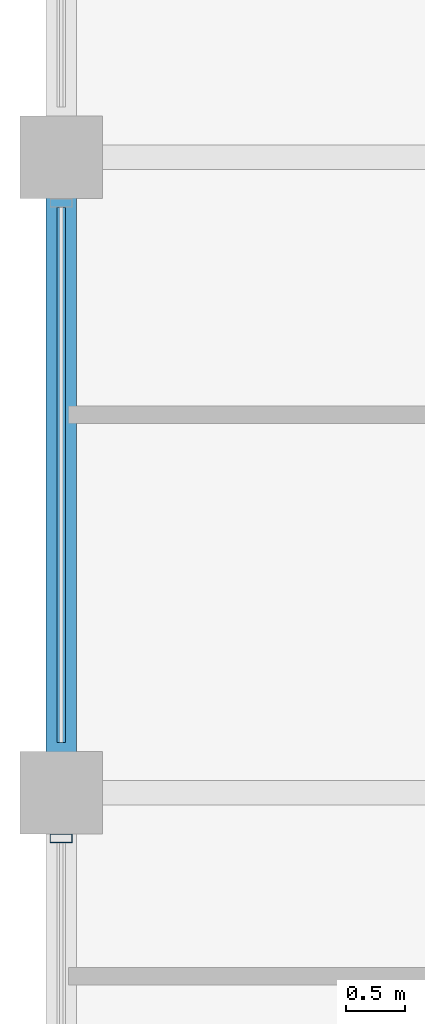
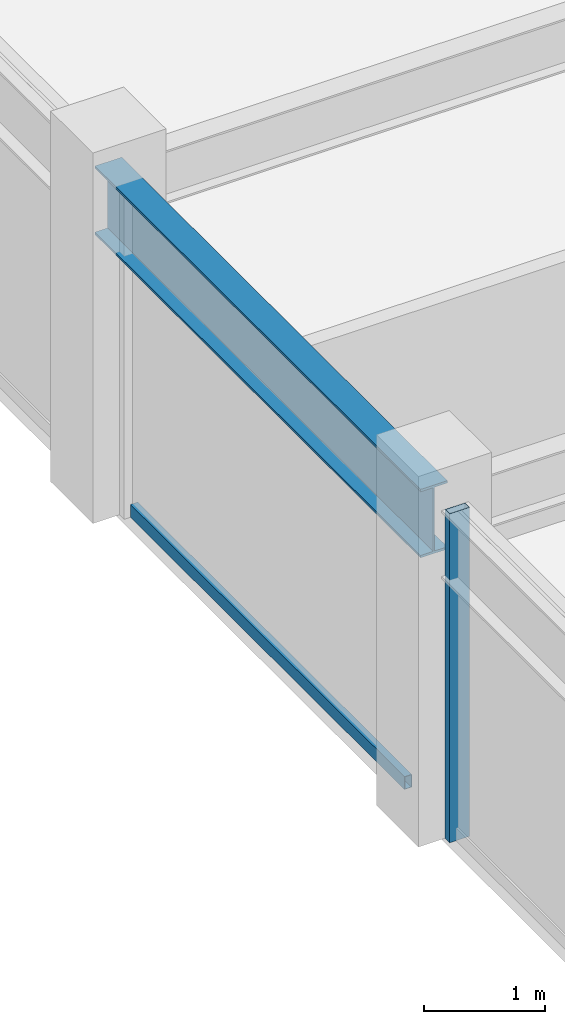
# One storey, part 10 of 31: 2 members, 1 beam, 1 element without a shape of its own.
"""IFC4 building model written with IfcOpenShell, lengths in metres."""

from ifc_helpers import new_model, si_unit, direction, frame, origin, origin_2d, place, context, subcontext, project, spatial, hollow_rectangle, i_section, extrude, material, layer, layer_set, material_profile, profile_set, type_object, element, aggregate, save


model = new_model("IFC4")

# Units and contexts
model_context = context("Model", 3, precision=1e-05, world=origin(), true_north=direction((0.0, 1.0)))
body_context = subcontext(model_context, "Body", "Model", "MODEL_VIEW")
ifc_project = project(units=[si_unit("LENGTHUNIT", "METRE"), si_unit("AREAUNIT", "SQUARE_METRE"), si_unit("VOLUMEUNIT", "CUBIC_METRE"), si_unit("PLANEANGLEUNIT", "RADIAN"), si_unit("MASSUNIT", "GRAM", prefix="KILO")], contexts=[model_context])

# Site, building, storey
site_placement = place(None, origin())
site = spatial("IfcSite", under=ifc_project, at=site_placement, CompositionType="ELEMENT")
building_placement = place(site_placement, origin())
building = spatial("IfcBuilding", under=site, at=building_placement, Name="Surkhivell Harbour Commons", CompositionType="ELEMENT")
storey_placement = place(building_placement, frame((0.0, 0.0, 333.75)))
storey = spatial("IfcBuildingStorey", under=building, at=storey_placement, Name="L87", CompositionType="ELEMENT", Elevation=333.75)

# Beam
ifc_material_1 = material(Name="Steel S355", Category="steel")
ifc_material_profile_1 = material_profile(ifc_material_1, i_section(OverallWidth=0.256103515625, OverallDepth=0.693115234375, WebThickness=0.014404296875, FlangeThickness=0.023681640625, at=origin_2d()), Name="UB686x254x170")
ifc_profile_set_1 = profile_set([ifc_material_profile_1], Name="Steel S355")
beam_type = type_object("IfcBeamType", Name="BM-SPN-686", PredefinedType="SPANDREL", material=ifc_profile_set_1)
beam_placement = place(storey_placement, frame((-27.0, 5.39990234375, 2.9833984375), z_axis=(0.0, 1.0, 0.0), x_axis=(-1.0, 0.0, 0.0)))
element("IfcBeam", 1, at=beam_placement, inside=storey, type_object=beam_type, Name="L87 Tube Spandrel (-27.0,5.4)", PredefinedType="SPANDREL", context=body_context, shape_type="SweptSolid", body=[
    extrude(i_section(OverallWidth=0.256103515625, OverallDepth=0.693115234375, WebThickness=0.014404296875, FlangeThickness=0.023681640625, at=origin_2d()), origin(), (0.0, 0.0, 1.0), 5.400146484375),
])

# Curtain wall, members
ifc_material_2 = material(Name="Anodised pale-metal aluminium and insulated glazing", Category="aluminium")
ifc_layer = layer(ifc_material_2, 0.175048828125)
ifc_layer_set = layer_set([ifc_layer], Name="Anodised pale-metal aluminium and insulated glazing")
curtain_wall_type = type_object("IfcCurtainWallType", Name="CW-SYS-Z4", PredefinedType="NOTDEFINED", material=ifc_layer_set)
curtain_wall_placement = place(storey_placement, origin())
curtain_wall = element("IfcCurtainWall", 2, at=curtain_wall_placement, inside=storey, type_object=curtain_wall_type, Name="L87 Curtain Wall CW-L87-E12S1", PredefinedType="NOTDEFINED")
ifc_material_3 = material(Name="Anodised pale-metal aluminium alloy 6063-T6", Category="aluminium")
ifc_material_profile_2 = material_profile(ifc_material_3, hollow_rectangle(XDim=0.074951171875, YDim=0.18994140625, WallThickness=0.00390625, at=origin_2d()), Name="ALU-MULL-75x190")
ifc_profile_set_2 = profile_set([ifc_material_profile_2], Name="Anodised pale-metal aluminium alloy 6063-T6")
member_type_1 = type_object("IfcMemberType", Name="CWM-190", PredefinedType="MULLION", material=ifc_profile_set_2)
member_1_placement = place(storey_placement, frame((-27.0, 5.010498046875, 0.0), z_axis=(0.0, 0.0, 1.0), x_axis=(0.0, -1.0, 0.0)))
member_1 = element("IfcMember", 3, at=member_1_placement, type_object=member_type_1, Name="CW-Z4 mullion 4", PredefinedType="MULLION", context=body_context, shape_type="SweptSolid", body=[
    extrude(hollow_rectangle(XDim=0.074951171875, YDim=0.18994140625, WallThickness=0.00390625, at=origin_2d()), origin(), (0.0, 0.0, 1.0), 3.330078125),
])
ifc_material_4 = material(Name="Champagne anodised aluminium alloy 6063-T6", Category="aluminium")
ifc_material_profile_3 = material_profile(ifc_material_4, hollow_rectangle(XDim=0.070068359375, YDim=0.1298828125, WallThickness=0.00341796875, at=origin_2d()), Name="ALU-TRAN-70x130")
ifc_profile_set_3 = profile_set([ifc_material_profile_3], Name="Champagne anodised aluminium alloy 6063-T6")
member_type_2 = type_object("IfcMemberType", Name="CWT-130", PredefinedType="USERDEFINED", material=ifc_profile_set_3)
member_2_placement = place(storey_placement, frame((-27.0, 10.373046875, 0.06494140625), z_axis=(0.0, -1.0, 0.0), x_axis=(1.0, 0.0, 0.0)))
member_2 = element("IfcMember", 4, at=member_2_placement, type_object=member_type_2, Name="CW-Z4 transom 3.1", ObjectType="TRANSOM", PredefinedType="USERDEFINED", context=body_context, shape_type="SweptSolid", body=[
    extrude(hollow_rectangle(XDim=0.070068359375, YDim=0.1298828125, WallThickness=0.00341796875, at=origin_2d()), origin(), (0.0, 0.0, 1.0), 4.546142578125),
])
aggregate(curtain_wall, [member_2, member_1])

save(model, "model.ifc")
